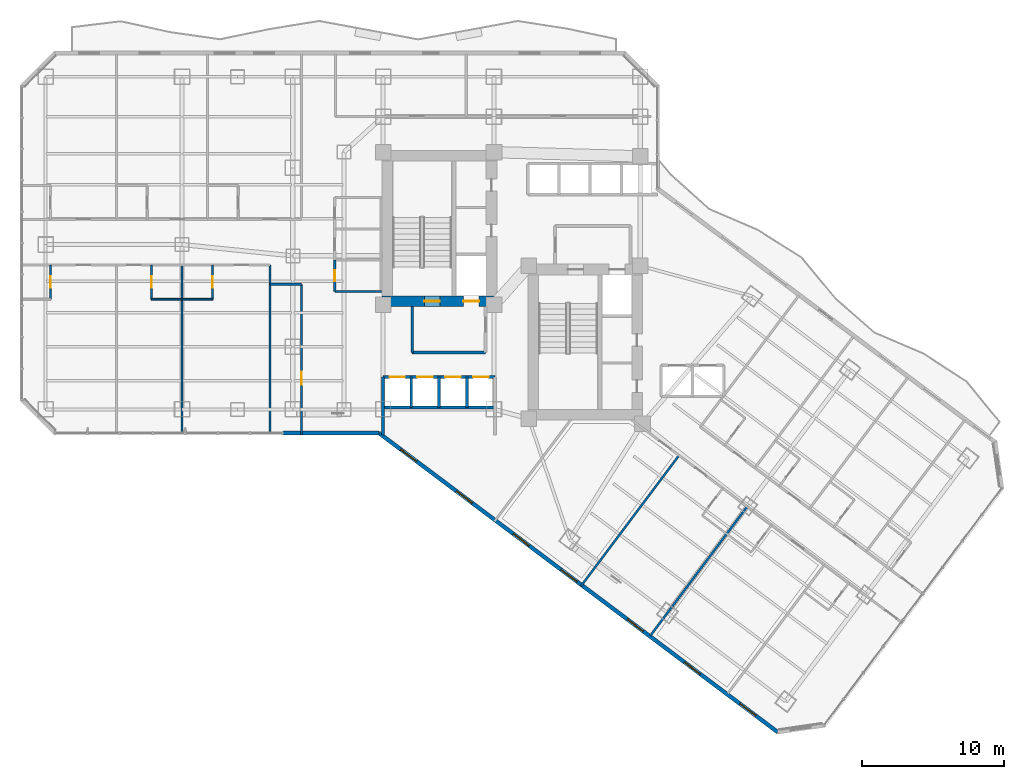
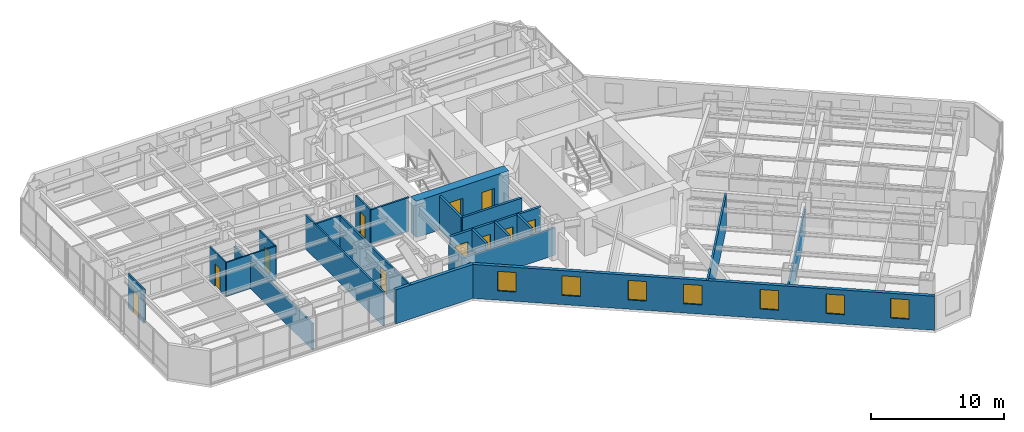
# One storey, part 22 of 32: 24 walls, 11 doors, 7 windows, 18 openings.
"""IFC4 building model written with IfcOpenShell, lengths in metres."""

from ifc_helpers import new_model, si_unit, direction, frame, frame_2d, origin, place, context, subcontext, project, spatial, rectangle, extrude, material, layer, layer_set, type_object, element, fill, save


model = new_model("IFC4")

# Units and contexts
model_context = context("Model", 3, precision=1e-05, world=origin(), true_north=direction((0.0, 1.0)))
body_context = subcontext(model_context, "Body", "Model", "MODEL_VIEW")
ifc_project = project(units=[si_unit("LENGTHUNIT", "METRE"), si_unit("AREAUNIT", "SQUARE_METRE"), si_unit("VOLUMEUNIT", "CUBIC_METRE"), si_unit("PLANEANGLEUNIT", "RADIAN"), si_unit("MASSUNIT", "GRAM", prefix="KILO")], contexts=[model_context])

# Site, building, storey
site_placement = place(None, origin())
site = spatial("IfcSite", under=ifc_project, at=site_placement, CompositionType="ELEMENT")
building_placement = place(site_placement, origin())
building = spatial("IfcBuilding", under=site, at=building_placement, Name="Hatsunagi Terrace Concourse", CompositionType="ELEMENT")
storey_placement = place(building_placement, frame((0.0, 0.0, 36.60009765625)))
storey = spatial("IfcBuildingStorey", under=building, at=storey_placement, Name="L08", CompositionType="ELEMENT", Elevation=36.60009765625)

# Wall, openings, doors
ifc_material_1 = material(Name="Concrete Fc60", Category="concrete")
ifc_layer_1 = layer(ifc_material_1, 0.75)
ifc_layer_set_1 = layer_set([ifc_layer_1], Name="CoreShearWall_Fc60_750")
wall_type_1 = type_object("IfcWallType", Name="CoreShearWall_Fc60_750", PredefinedType="SHEAR", material=ifc_layer_set_1)
wall_1_placement = place(storey_placement, frame((25.469970703125, 32.81494140625, 0.0), z_axis=(0.0, 0.0, 1.0), x_axis=(1.0, 0.0, 0.0)))
wall_1 = element("IfcWall", 1, at=wall_1_placement, inside=storey, type_object=wall_type_1, Name="Core A Shear Wall S L08", PredefinedType="SHEAR", context=body_context, shape_type="SweptSolid", body=[
    extrude(rectangle(XDim=8.080078125, YDim=0.75, at=frame_2d((4.0400390625, 0.0))), origin(), (0.0, 0.0, 1.0), 3.349853515625),
])
opening_1_placement = place(wall_1_placement, frame((2.97998046875, 0.0, 0.0)))
opening_1 = element("IfcOpeningElement", 2, at=opening_1_placement, cuts=wall_1, Name="Opening DR-110S", PredefinedType="OPENING", context=body_context, shape_type="SweptSolid", body=[
    extrude(rectangle(XDim=1.10009765625, YDim=2.199951171875, at=frame_2d((0.550048828125, 1.10009765625))), frame((0.0, 0.385009765625, 0.0), z_axis=(0.0, -1.0, 0.0), x_axis=(1.0, 0.0, 0.0)), (0.0, 0.0, 1.0), 0.77001953125),
])
opening_2_placement = place(wall_1_placement, frame((5.72998046875, 0.0, 0.0)))
opening_2 = element("IfcOpeningElement", 3, at=opening_2_placement, cuts=wall_1, Name="Opening LD-01", PredefinedType="OPENING", context=body_context, shape_type="SweptSolid", body=[
    extrude(rectangle(XDim=1.10009765625, YDim=2.14990234375, at=frame_2d((0.550048828125, 1.074951171875))), frame((0.0, 0.385009765625, 0.0), z_axis=(0.0, -1.0, 0.0), x_axis=(1.0, 0.0, 0.0)), (0.0, 0.0, 1.0), 0.77001953125),
])
ifc_material_2 = material(Name="Stainless steel", Category="steel")
door_type_1 = type_object("IfcDoorType", Name="LiftLandingDoor_LD01", OperationType="SLIDING_TO_LEFT", PredefinedType="USERDEFINED", material=ifc_material_2)
door_1_placement = place(opening_2_placement, origin())
door_1 = element("IfcDoor", 4, at=door_1_placement, inside=storey, type_object=door_type_1, Name="Lift landing door FF-01 L08", ObjectType="SLIDING_LANDING_DOOR", OperationType="SLIDING_TO_LEFT", OverallHeight=2.14990234375, OverallWidth=1.10009765625, PredefinedType="USERDEFINED", context=body_context, shape_type="SweptSolid", body=[
    extrude(rectangle(XDim=1.10009765625, YDim=2.14990234375, at=frame_2d((0.550048828125, 1.074951171875))), frame((0.0, 0.02490234375, 0.0), z_axis=(0.0, -1.0, 0.0), x_axis=(1.0, 0.0, 0.0)), (0.0, 0.0, 1.0), 0.050048828125),
])
fill(opening_2, door_1)
ifc_material_3 = material(Name="Painted steel", Category="steel")
door_type_2 = type_object("IfcDoorType", Name="StairFireDoor_EI60_1100", OperationType="NOTDEFINED", PredefinedType="DOOR", material=ifc_material_3)
door_2_placement = place(opening_1_placement, origin())
door_2 = element("IfcDoor", 5, at=door_2_placement, inside=storey, type_object=door_type_2, Name="Stair ST-A Exit Door L08", OperationType="SINGLE_SWING_LEFT", OverallHeight=2.199951171875, OverallWidth=1.10009765625, PredefinedType="DOOR", context=body_context, shape_type="SweptSolid", body=[
    extrude(rectangle(XDim=1.10009765625, YDim=2.199951171875, at=frame_2d((0.550048828125, 1.10009765625))), frame((0.0, 0.02490234375, 0.0), z_axis=(0.0, -1.0, 0.0), x_axis=(1.0, 0.0, 0.0)), (0.0, 0.0, 1.0), 0.050048828125),
])
fill(opening_1, door_2)

# Wall, opening, door
ifc_material_4 = material(Name="Acoustic mineral board", Category="gypsum")
ifc_layer_2 = layer(ifc_material_4, 0.1201171875)
ifc_layer_set_2 = layer_set([ifc_layer_2], Name="PartitionWall_EI30_120")
wall_type_2 = type_object("IfcWallType", Name="PartitionWall_EI30_120", PredefinedType="PARTITIONING", material=ifc_layer_set_2)
wall_2_placement = place(storey_placement, frame((2.14990234375, 32.949951171875, 0.0), z_axis=(0.0, 0.0, 1.0), x_axis=(0.0, 1.0, 0.0)))
wall_2 = element("IfcWall", 6, at=wall_2_placement, inside=storey, type_object=wall_type_2, Name="Interior Partition IW-L08-061", PredefinedType="PARTITIONING", context=body_context, shape_type="SweptSolid", body=[
    extrude(rectangle(XDim=2.400146484375, YDim=0.1201171875, at=frame_2d((1.2001953125, 0.0))), origin(), (0.0, 0.0, 1.0), 3.1298828125),
])
opening_3_placement = place(wall_2_placement, frame((0.800048828125, 0.0, 0.0)))
opening_3 = element("IfcOpeningElement", 7, at=opening_3_placement, cuts=wall_2, Name="Opening DR-080", PredefinedType="OPENING", context=body_context, shape_type="SweptSolid", body=[
    extrude(rectangle(XDim=0.800048828125, YDim=2.06005859375, at=frame_2d((0.39990234375, 1.030029296875))), frame((0.0, 0.070068359375, 0.0), z_axis=(0.0, -1.0, 0.0), x_axis=(1.0, 0.0, 0.0)), (0.0, 0.0, 1.0), 0.14013671875),
])
ifc_material_5 = material(Name="Hardwood timber", Category="wood")
door_type_3 = type_object("IfcDoorType", Name="BathroomDoor_800", OperationType="NOTDEFINED", PredefinedType="DOOR", material=ifc_material_5)
door_3_placement = place(opening_3_placement, origin())
door_3 = element("IfcDoor", 8, at=door_3_placement, inside=storey, type_object=door_type_3, Name="En-Suite Bathroom L08-S1 Door", OperationType="SINGLE_SWING_RIGHT", OverallHeight=2.06005859375, OverallWidth=0.800048828125, PredefinedType="DOOR", context=body_context, shape_type="SweptSolid", body=[
    extrude(rectangle(XDim=0.800048828125, YDim=2.06005859375, at=frame_2d((0.39990234375, 1.030029296875))), frame((0.0, 0.02490234375, 0.0), z_axis=(0.0, -1.0, 0.0), x_axis=(1.0, 0.0, 0.0)), (0.0, 0.0, 1.0), 0.050048828125),
])
fill(opening_3, door_3)

wall_3_placement = place(storey_placement, frame((9.25, 32.949951171875, 0.0), z_axis=(0.0, 0.0, 1.0), x_axis=(0.0, 1.0, 0.0)))
wall_3 = element("IfcWall", 9, at=wall_3_placement, inside=storey, type_object=wall_type_2, Name="Interior Partition IW-L08-066", PredefinedType="PARTITIONING", context=body_context, shape_type="SweptSolid", body=[
    extrude(rectangle(XDim=2.400146484375, YDim=0.1201171875, at=frame_2d((1.2001953125, 0.0))), origin(), (0.0, 0.0, 1.0), 3.1298828125),
])
opening_4_placement = place(wall_3_placement, frame((0.800048828125, 0.0, 0.0)))
opening_4 = element("IfcOpeningElement", 10, at=opening_4_placement, cuts=wall_3, Name="Opening DR-080", PredefinedType="OPENING", context=body_context, shape_type="SweptSolid", body=[
    extrude(rectangle(XDim=0.800048828125, YDim=2.06005859375, at=frame_2d((0.39990234375, 1.030029296875))), frame((0.0, 0.070068359375, 0.0), z_axis=(0.0, -1.0, 0.0), x_axis=(1.0, 0.0, 0.0)), (0.0, 0.0, 1.0), 0.14013671875),
])
door_4_placement = place(opening_4_placement, origin())
door_4 = element("IfcDoor", 11, at=door_4_placement, inside=storey, type_object=door_type_3, Name="En-Suite Bathroom L08-S2 Door", OperationType="SINGLE_SWING_LEFT", OverallHeight=2.06005859375, OverallWidth=0.800048828125, PredefinedType="DOOR", context=body_context, shape_type="SweptSolid", body=[
    extrude(rectangle(XDim=0.800048828125, YDim=2.06005859375, at=frame_2d((0.39990234375, 1.030029296875))), frame((0.0, 0.02490234375, 0.0), z_axis=(0.0, -1.0, 0.0), x_axis=(1.0, 0.0, 0.0)), (0.0, 0.0, 1.0), 0.050048828125),
])
fill(opening_4, door_4)

# Wall
wall_4_placement = place(storey_placement, frame((9.25, 32.949951171875, 0.0), z_axis=(0.0, 0.0, 1.0), x_axis=(1.0, 0.0, 0.0)))
element("IfcWall", 12, at=wall_4_placement, inside=storey, type_object=wall_type_2, Name="Interior Partition IW-L08-067", PredefinedType="PARTITIONING", context=body_context, shape_type="SweptSolid", body=[
    extrude(rectangle(XDim=2.14990234375, YDim=0.1201171875, at=frame_2d((1.074951171875, 0.0))), origin(), (0.0, 0.0, 1.0), 3.1298828125),
])

# Wall, opening, door
wall_5_placement = place(storey_placement, frame((13.550048828125, 32.949951171875, 0.0), z_axis=(0.0, 0.0, 1.0), x_axis=(0.0, 1.0, 0.0)))
wall_5 = element("IfcWall", 13, at=wall_5_placement, inside=storey, type_object=wall_type_2, Name="Interior Partition IW-L08-071", PredefinedType="PARTITIONING", context=body_context, shape_type="SweptSolid", body=[
    extrude(rectangle(XDim=2.400146484375, YDim=0.1201171875, at=frame_2d((1.2001953125, 0.0))), origin(), (0.0, 0.0, 1.0), 3.1298828125),
])
opening_5_placement = place(wall_5_placement, frame((0.800048828125, 0.0, 0.0)))
opening_5 = element("IfcOpeningElement", 14, at=opening_5_placement, cuts=wall_5, Name="Opening DR-080", PredefinedType="OPENING", context=body_context, shape_type="SweptSolid", body=[
    extrude(rectangle(XDim=0.800048828125, YDim=2.06005859375, at=frame_2d((0.39990234375, 1.030029296875))), frame((0.0, 0.070068359375, 0.0), z_axis=(0.0, -1.0, 0.0), x_axis=(1.0, 0.0, 0.0)), (0.0, 0.0, 1.0), 0.14013671875),
])
door_5_placement = place(opening_5_placement, origin())
door_5 = element("IfcDoor", 15, at=door_5_placement, inside=storey, type_object=door_type_3, Name="En-Suite Bathroom L08-S3 Door", OperationType="SINGLE_SWING_RIGHT", OverallHeight=2.06005859375, OverallWidth=0.800048828125, PredefinedType="DOOR", context=body_context, shape_type="SweptSolid", body=[
    extrude(rectangle(XDim=0.800048828125, YDim=2.06005859375, at=frame_2d((0.39990234375, 1.030029296875))), frame((0.0, 0.02490234375, 0.0), z_axis=(0.0, -1.0, 0.0), x_axis=(1.0, 0.0, 0.0)), (0.0, 0.0, 1.0), 0.050048828125),
])
fill(opening_5, door_5)

# Walls
wall_6_placement = place(storey_placement, frame((11.39990234375, 32.949951171875, 0.0), z_axis=(0.0, 0.0, 1.0), x_axis=(1.0, 0.0, 0.0)))
element("IfcWall", 16, at=wall_6_placement, inside=storey, type_object=wall_type_2, Name="Interior Partition IW-L08-072", PredefinedType="PARTITIONING", context=body_context, shape_type="SweptSolid", body=[
    extrude(rectangle(XDim=2.150146484375, YDim=0.1201171875, at=frame_2d((1.0751953125, 0.0))), origin(), (0.0, 0.0, 1.0), 3.1298828125),
])
ifc_material_6 = material(Name="Acoustic mineral board", Category="gypsum")
ifc_layer_3 = layer(ifc_material_6, 0.14990234375)
ifc_layer_set_3 = layer_set([ifc_layer_3], Name="PartitionWall_EI60_150")
wall_type_3 = type_object("IfcWallType", Name="PartitionWall_EI60_150", PredefinedType="PARTITIONING", material=ifc_layer_set_3)
wall_7_placement = place(storey_placement, frame((22.14990234375, 33.5, 0.0), z_axis=(0.0, 0.0, 1.0), x_axis=(1.0, 0.0, 0.0)))
element("IfcWall", 17, at=wall_7_placement, inside=storey, type_object=wall_type_3, Name="Interior Partition IW-L08-029", PredefinedType="PARTITIONING", context=body_context, shape_type="SweptSolid", body=[
    extrude(rectangle(XDim=3.300048828125, YDim=0.14990234375, at=frame_2d((1.64990234375, 0.0))), origin(), (0.0, 0.0, 1.0), 3.1298828125),
])

# Wall, opening, door
wall_8_placement = place(storey_placement, frame((22.14990234375, 33.5, 0.0), z_axis=(0.0, 0.0, 1.0), x_axis=(0.0, 1.0, 0.0)))
wall_8 = element("IfcWall", 18, at=wall_8_placement, inside=storey, type_object=wall_type_3, Name="Interior Partition IW-L08-034", PredefinedType="PARTITIONING", context=body_context, shape_type="SweptSolid", body=[
    extrude(rectangle(XDim=2.199951171875, YDim=0.14990234375, at=frame_2d((1.10009765625, 0.0))), origin(), (0.0, 0.0, 1.0), 3.1298828125),
])
opening_6_placement = place(wall_8_placement, frame((0.699951171875, 0.0, 0.0)))
opening_6 = element("IfcOpeningElement", 19, at=opening_6_placement, cuts=wall_8, Name="Opening DR-080", PredefinedType="OPENING", context=body_context, shape_type="SweptSolid", body=[
    extrude(rectangle(XDim=0.800048828125, YDim=2.06005859375, at=frame_2d((0.39990234375, 1.030029296875))), frame((0.0, 0.0849609375, 0.0), z_axis=(0.0, -1.0, 0.0), x_axis=(1.0, 0.0, 0.0)), (0.0, 0.0, 1.0), 0.169921875),
])
door_6_placement = place(opening_6_placement, origin())
door_6 = element("IfcDoor", 20, at=door_6_placement, inside=storey, type_object=door_type_3, Name="Accessible WC Door L08", OperationType="SINGLE_SWING_RIGHT", OverallHeight=2.06005859375, OverallWidth=0.800048828125, PredefinedType="DOOR", context=body_context, shape_type="SweptSolid", body=[
    extrude(rectangle(XDim=0.800048828125, YDim=2.06005859375, at=frame_2d((0.39990234375, 1.030029296875))), frame((0.0, 0.02490234375, 0.0), z_axis=(0.0, -1.0, 0.0), x_axis=(1.0, 0.0, 0.0)), (0.0, 0.0, 1.0), 0.050048828125),
])
fill(opening_6, door_6)

# Walls
wall_9_placement = place(storey_placement, frame((39.464111328125, 12.751953125, 0.0), z_axis=(0.0, 0.0, 1.0), x_axis=(0.6, 0.8, 0.0)))
element("IfcWall", 21, at=wall_9_placement, inside=storey, type_object=wall_type_3, Name="Interior Partition IW-L08-043", PredefinedType="PARTITIONING", context=body_context, shape_type="SweptSolid", body=[
    extrude(rectangle(XDim=11.510009765625, YDim=0.14990234375, at=frame_2d((5.7548828125, 0.0))), origin(), (0.0, 0.0, 1.0), 3.1298828125),
])
wall_10_placement = place(storey_placement, frame((11.39990234375, 23.60009765625, 0.0), z_axis=(0.0, 0.0, 1.0), x_axis=(0.0, 1.0, 0.0)))
element("IfcWall", 22, at=wall_10_placement, inside=storey, type_object=wall_type_3, Name="Interior Partition IW-L08-068", PredefinedType="PARTITIONING", context=body_context, shape_type="SweptSolid", body=[
    extrude(rectangle(XDim=11.75, YDim=0.14990234375, at=frame_2d((5.875, 0.0))), origin(), (0.0, 0.0, 1.0), 2.4248046875),
])
wall_11_placement = place(storey_placement, frame((17.60009765625, 23.60009765625, 0.0), z_axis=(0.0, 0.0, 1.0), x_axis=(0.0, 1.0, 0.0)))
element("IfcWall", 23, at=wall_11_placement, inside=storey, type_object=wall_type_3, Name="Interior Partition IW-L08-073", PredefinedType="PARTITIONING", context=body_context, shape_type="SweptSolid", body=[
    extrude(rectangle(XDim=11.75, YDim=0.14990234375, at=frame_2d((5.875, 0.0))), origin(), (0.0, 0.0, 1.0), 3.1298828125),
])
wall_12_placement = place(storey_placement, frame((17.60009765625, 34.0, 0.0), z_axis=(0.0, 0.0, 1.0), x_axis=(1.0, 0.0, 0.0)))
element("IfcWall", 24, at=wall_12_placement, inside=storey, type_object=wall_type_3, Name="Interior Partition IW-L08-074", PredefinedType="PARTITIONING", context=body_context, shape_type="SweptSolid", body=[
    extrude(rectangle(XDim=2.199951171875, YDim=0.14990234375, at=frame_2d((1.10009765625, 0.0))), origin(), (0.0, 0.0, 1.0), 3.1298828125),
])

# Wall, opening, door
wall_13_placement = place(storey_placement, frame((19.800048828125, 23.43994140625, 0.0), z_axis=(0.0, 0.0, 1.0), x_axis=(0.0, 1.0, 0.0)))
wall_13 = element("IfcWall", 25, at=wall_13_placement, inside=storey, type_object=wall_type_3, Name="Interior Partition IW-L08-075", PredefinedType="PARTITIONING", context=body_context, shape_type="SweptSolid", body=[
    extrude(rectangle(XDim=10.56005859375, YDim=0.14990234375, at=frame_2d((5.280029296875, 0.0))), origin(), (0.0, 0.0, 1.0), 3.1298828125),
])
opening_7_placement = place(wall_13_placement, frame((3.4951171875, 0.0, 0.0)))
opening_7 = element("IfcOpeningElement", 26, at=opening_7_placement, cuts=wall_13, Name="Opening DR-090", PredefinedType="OPENING", context=body_context, shape_type="SweptSolid", body=[
    extrude(rectangle(XDim=0.89990234375, YDim=2.14990234375, at=frame_2d((0.449951171875, 1.074951171875))), frame((0.0, 0.0849609375, 0.0), z_axis=(0.0, -1.0, 0.0), x_axis=(1.0, 0.0, 0.0)), (0.0, 0.0, 1.0), 0.169921875),
])
ifc_material_7 = material(Name="Hardwood timber", Category="wood")
door_type_4 = type_object("IfcDoorType", Name="CrownPavilionDoor_EI30_900", OperationType="NOTDEFINED", PredefinedType="DOOR", material=ifc_material_7)
door_7_placement = place(opening_7_placement, origin())
door_7 = element("IfcDoor", 27, at=door_7_placement, inside=storey, type_object=door_type_4, Name="Catering Pantry L08-HPAN Door", OperationType="SINGLE_SWING_RIGHT", OverallHeight=2.14990234375, OverallWidth=0.89990234375, PredefinedType="DOOR", context=body_context, shape_type="SweptSolid", body=[
    extrude(rectangle(XDim=0.89990234375, YDim=2.14990234375, at=frame_2d((0.449951171875, 1.074951171875))), frame((0.0, 0.02490234375, 0.0), z_axis=(0.0, -1.0, 0.0), x_axis=(1.0, 0.0, 0.0)), (0.0, 0.0, 1.0), 0.050048828125),
])
fill(opening_7, door_7)

# Walls
wall_14_placement = place(storey_placement, frame((44.360107421875, 9.280029296875, 0.0), z_axis=(0.0, 0.0, 1.0), x_axis=(0.599986233332, 0.800010324816, 0.0)))
element("IfcWall", 28, at=wall_14_placement, inside=storey, type_object=wall_type_3, Name="Interior Partition IW-L08-100", PredefinedType="PARTITIONING", context=body_context, shape_type="SweptSolid", body=[
    extrude(rectangle(XDim=11.349853515625, YDim=0.14990234375, at=frame_2d((5.6748046875, 0.0))), origin(), (0.0, 0.0, 1.0), 2.4248046875),
])
ifc_material_8 = material(Name="Acoustic mineral board", Category="gypsum")
ifc_layer_4 = layer(ifc_material_8, 0.199951171875)
ifc_layer_set_4 = layer_set([ifc_layer_4], Name="ShaftWall_EI120_200")
wall_type_4 = type_object("IfcWallType", Name="ShaftWall_EI120_200", PredefinedType="STANDARD", material=ifc_layer_set_4)
wall_15_placement = place(storey_placement, frame((27.60009765625, 29.199951171875, 0.0), z_axis=(0.0, 0.0, 1.0), x_axis=(1.0, 0.0, 0.0)))
element("IfcWall", 29, at=wall_15_placement, inside=storey, type_object=wall_type_4, Name="Interior Partition IW-L08-005", PredefinedType="STANDARD", context=body_context, shape_type="SweptSolid", body=[
    extrude(rectangle(XDim=5.14990234375, YDim=0.199951171875, at=frame_2d((2.574951171875, 0.0))), origin(), (0.0, 0.0, 1.0), 3.1298828125),
])
wall_16_placement = place(storey_placement, frame((27.60009765625, 29.199951171875, 0.0), z_axis=(0.0, 0.0, 1.0), x_axis=(0.0, 1.0, 0.0)))
element("IfcWall", 30, at=wall_16_placement, inside=storey, type_object=wall_type_4, Name="Interior Partition IW-L08-006", PredefinedType="STANDARD", context=body_context, shape_type="SweptSolid", body=[
    extrude(rectangle(XDim=3.239990234375, YDim=0.199951171875, at=frame_2d((1.6201171875, 0.0))), origin(), (0.0, 0.0, 1.0), 3.1298828125),
])
wall_17_placement = place(storey_placement, frame((25.550048828125, 23.39990234375, 0.0), z_axis=(0.0, 0.0, 1.0), x_axis=(0.0, 1.0, 0.0)))
element("IfcWall", 31, at=wall_17_placement, inside=storey, type_object=wall_type_4, Name="Interior Partition IW-L08-011", PredefinedType="STANDARD", context=body_context, shape_type="SweptSolid", body=[
    extrude(rectangle(XDim=4.080078125, YDim=0.199951171875, at=frame_2d((2.0400390625, 0.0))), origin(), (0.0, 0.0, 1.0), 2.4248046875),
])
wall_18_placement = place(storey_placement, frame((25.550048828125, 25.320068359375, 0.0), z_axis=(0.0, 0.0, 1.0), x_axis=(1.0, 0.0, 0.0)))
element("IfcWall", 32, at=wall_18_placement, inside=storey, type_object=wall_type_4, Name="Interior Partition IW-L08-013", PredefinedType="STANDARD", context=body_context, shape_type="SweptSolid", body=[
    extrude(rectangle(XDim=7.8798828125, YDim=0.199951171875, at=frame_2d((3.93994140625, 0.0))), origin(), (0.0, 0.0, 1.0), 2.52490234375),
])
for number, where, z_axis, x_axis, name in (
    (33, (27.530029296875, 25.320068359375, 0.0), (0.0, 0.0, 1.0), (0.0, 1.0, 0.0), "Interior Partition IW-L08-014"),
    (34, (29.489990234375, 25.320068359375, 0.0), (0.0, 0.0, 1.0), (0.0, 1.0, 0.0), "Interior Partition IW-L08-015"),
    (35, (31.449951171875, 25.320068359375, 0.0), (0.0, 0.0, 1.0), (0.0, 1.0, 0.0), "Interior Partition IW-L08-016"),
):
    element("IfcWall", number, at=place(storey_placement, frame(where, z_axis=z_axis, x_axis=x_axis)), inside=storey, type_object=wall_type_4, Name=name, PredefinedType="STANDARD", context=body_context, shape_type="SweptSolid", body=[
        extrude(rectangle(XDim=2.159912109375, YDim=0.199951171875, at=frame_2d((1.080078125, 0.0))), origin(), (0.0, 0.0, 1.0), 3.1298828125),
    ])

# Wall, openings, doors
wall_19_placement = place(storey_placement, frame((25.550048828125, 27.47998046875, 0.0), z_axis=(0.0, 0.0, 1.0), x_axis=(1.0, 0.0, 0.0)))
wall_19 = element("IfcWall", 36, at=wall_19_placement, inside=storey, type_object=wall_type_4, Name="Interior Partition IW-L08-017", PredefinedType="STANDARD", context=body_context, shape_type="SweptSolid", body=[
    extrude(rectangle(XDim=7.8798828125, YDim=0.199951171875, at=frame_2d((3.93994140625, 0.0))), origin(), (0.0, 0.0, 1.0), 3.1298828125),
])
opening_8_placement = place(wall_19_placement, frame((0.4599609375, 0.0, 0.0)))
opening_8 = element("IfcOpeningElement", 37, at=opening_8_placement, cuts=wall_19, Name="Opening LD-03", PredefinedType="OPENING", context=body_context, shape_type="SweptSolid", body=[
    extrude(rectangle(XDim=1.080078125, YDim=2.14990234375, at=frame_2d((0.5400390625, 1.074951171875))), frame((0.0, 0.10986328125, 0.0), z_axis=(0.0, -1.0, 0.0), x_axis=(1.0, 0.0, 0.0)), (0.0, 0.0, 1.0), 0.219970703125),
])
opening_9_placement = place(wall_19_placement, frame((2.419921875, 0.0, 0.0)))
opening_9 = element("IfcOpeningElement", 38, at=opening_9_placement, cuts=wall_19, Name="Opening LD-03", PredefinedType="OPENING", context=body_context, shape_type="SweptSolid", body=[
    extrude(rectangle(XDim=1.080078125, YDim=2.14990234375, at=frame_2d((0.5400390625, 1.074951171875))), frame((0.0, 0.10986328125, 0.0), z_axis=(0.0, -1.0, 0.0), x_axis=(1.0, 0.0, 0.0)), (0.0, 0.0, 1.0), 0.219970703125),
])
opening_10_placement = place(wall_19_placement, frame((4.3798828125, 0.0, 0.0)))
opening_10 = element("IfcOpeningElement", 39, at=opening_10_placement, cuts=wall_19, Name="Opening LD-03", PredefinedType="OPENING", context=body_context, shape_type="SweptSolid", body=[
    extrude(rectangle(XDim=1.080078125, YDim=2.14990234375, at=frame_2d((0.5400390625, 1.074951171875))), frame((0.0, 0.10986328125, 0.0), z_axis=(0.0, -1.0, 0.0), x_axis=(1.0, 0.0, 0.0)), (0.0, 0.0, 1.0), 0.219970703125),
])
opening_11_placement = place(wall_19_placement, frame((6.340087890625, 0.0, 0.0)))
opening_11 = element("IfcOpeningElement", 40, at=opening_11_placement, cuts=wall_19, Name="Opening LD-03", PredefinedType="OPENING", context=body_context, shape_type="SweptSolid", body=[
    extrude(rectangle(XDim=1.080078125, YDim=2.14990234375, at=frame_2d((0.5400390625, 1.074951171875))), frame((0.0, 0.10986328125, 0.0), z_axis=(0.0, -1.0, 0.0), x_axis=(1.0, 0.0, 0.0)), (0.0, 0.0, 1.0), 0.219970703125),
])
ifc_material_9 = material(Name="Stainless steel", Category="steel")
door_type_5 = type_object("IfcDoorType", Name="LiftLandingDoor_LD03", OperationType="SLIDING_TO_LEFT", PredefinedType="USERDEFINED", material=ifc_material_9)
door_8_placement = place(opening_8_placement, origin())
door_8 = element("IfcDoor", 41, at=door_8_placement, inside=storey, type_object=door_type_5, Name="Lift landing door PL-01 L08", ObjectType="SLIDING_LANDING_DOOR", OperationType="SLIDING_TO_LEFT", OverallHeight=2.14990234375, OverallWidth=1.080078125, PredefinedType="USERDEFINED", context=body_context, shape_type="SweptSolid", body=[
    extrude(rectangle(XDim=1.080078125, YDim=2.14990234375, at=frame_2d((0.5400390625, 1.074951171875))), frame((0.0, 0.02490234375, 0.0), z_axis=(0.0, -1.0, 0.0), x_axis=(1.0, 0.0, 0.0)), (0.0, 0.0, 1.0), 0.050048828125),
])
fill(opening_8, door_8)
door_9_placement = place(opening_9_placement, origin())
door_9 = element("IfcDoor", 42, at=door_9_placement, inside=storey, type_object=door_type_5, Name="Lift landing door PL-02 L08", ObjectType="SLIDING_LANDING_DOOR", OperationType="SLIDING_TO_LEFT", OverallHeight=2.14990234375, OverallWidth=1.080078125, PredefinedType="USERDEFINED", context=body_context, shape_type="SweptSolid", body=[
    extrude(rectangle(XDim=1.080078125, YDim=2.14990234375, at=frame_2d((0.5400390625, 1.074951171875))), frame((0.0, 0.02490234375, 0.0), z_axis=(0.0, -1.0, 0.0), x_axis=(1.0, 0.0, 0.0)), (0.0, 0.0, 1.0), 0.050048828125),
])
fill(opening_9, door_9)
door_10_placement = place(opening_10_placement, origin())
door_10 = element("IfcDoor", 43, at=door_10_placement, inside=storey, type_object=door_type_5, Name="Lift landing door PL-03 L08", ObjectType="SLIDING_LANDING_DOOR", OperationType="SLIDING_TO_LEFT", OverallHeight=2.14990234375, OverallWidth=1.080078125, PredefinedType="USERDEFINED", context=body_context, shape_type="SweptSolid", body=[
    extrude(rectangle(XDim=1.080078125, YDim=2.14990234375, at=frame_2d((0.5400390625, 1.074951171875))), frame((0.0, 0.02490234375, 0.0), z_axis=(0.0, -1.0, 0.0), x_axis=(1.0, 0.0, 0.0)), (0.0, 0.0, 1.0), 0.050048828125),
])
fill(opening_10, door_10)
door_11_placement = place(opening_11_placement, origin())
door_11 = element("IfcDoor", 44, at=door_11_placement, inside=storey, type_object=door_type_5, Name="Lift landing door PL-04 L08", ObjectType="SLIDING_LANDING_DOOR", OperationType="SLIDING_TO_LEFT", OverallHeight=2.14990234375, OverallWidth=1.080078125, PredefinedType="USERDEFINED", context=body_context, shape_type="SweptSolid", body=[
    extrude(rectangle(XDim=1.080078125, YDim=2.14990234375, at=frame_2d((0.5400390625, 1.074951171875))), frame((0.0, 0.02490234375, 0.0), z_axis=(0.0, -1.0, 0.0), x_axis=(1.0, 0.0, 0.0)), (0.0, 0.0, 1.0), 0.050048828125),
])
fill(opening_11, door_11)

# Wall, openings, windows
ifc_material_10 = material(Name="Autoclaved Lightweight Concrete and Terracotta Cladding", Category="masonry")
ifc_layer_5 = layer(ifc_material_10, 0.280029296875)
ifc_layer_set_5 = layer_set([ifc_layer_5], Name="TerracottaSpandrelWall_280")
wall_type_5 = type_object("IfcWallType", Name="TerracottaSpandrelWall_280", PredefinedType="STANDARD", material=ifc_layer_set_5)
wall_20_placement = place(storey_placement, frame((53.318115234375, 2.487060546875, 0.0), z_axis=(0.0, 0.0, 1.0), x_axis=(-0.800004174678, 0.599994433723, 0.0)))
wall_20 = element("IfcWall", 45, at=wall_20_placement, inside=storey, type_object=wall_type_5, Name="Exterior Spandrel Wall EW-L08-05", PredefinedType="STANDARD", context=body_context, shape_type="SweptSolid", body=[
    extrude(rectangle(XDim=35.088623046875, YDim=0.280029296875, at=frame_2d((17.54443359375, 0.0))), origin(), (0.0, 0.0, 1.0), 3.1298828125),
])
opening_12_placement = place(wall_20_placement, frame((1.930908203125, 0.0, 0.85009765625)))
opening_12 = element("IfcOpeningElement", 46, at=opening_12_placement, cuts=wall_20, Name="Opening WIN-02", PredefinedType="OPENING", context=body_context, shape_type="SweptSolid", body=[
    extrude(rectangle(XDim=1.39990234375, YDim=1.800048828125, at=frame_2d((0.699951171875, 0.89990234375))), frame((0.0, 0.14990234375, 0.0), z_axis=(0.0, -1.0, 0.0), x_axis=(1.0, 0.0, 0.0)), (0.0, 0.0, 1.0), 0.300048828125),
])
opening_13_placement = place(wall_20_placement, frame((6.819091796875, 0.0, 0.85009765625)))
opening_13 = element("IfcOpeningElement", 47, at=opening_13_placement, cuts=wall_20, Name="Opening WIN-02", PredefinedType="OPENING", context=body_context, shape_type="SweptSolid", body=[
    extrude(rectangle(XDim=1.39990234375, YDim=1.800048828125, at=frame_2d((0.699951171875, 0.89990234375))), frame((0.0, 0.14990234375, 0.0), z_axis=(0.0, -1.0, 0.0), x_axis=(1.0, 0.0, 0.0)), (0.0, 0.0, 1.0), 0.300048828125),
])
opening_14_placement = place(wall_20_placement, frame((11.83203125, 0.0, 0.85009765625)))
opening_14 = element("IfcOpeningElement", 48, at=opening_14_placement, cuts=wall_20, Name="Opening WIN-02", PredefinedType="OPENING", context=body_context, shape_type="SweptSolid", body=[
    extrude(rectangle(XDim=1.39990234375, YDim=1.800048828125, at=frame_2d((0.699951171875, 0.89990234375))), frame((0.0, 0.14990234375, 0.0), z_axis=(0.0, -1.0, 0.0), x_axis=(1.0, 0.0, 0.0)), (0.0, 0.0, 1.0), 0.300048828125),
])
opening_15_placement = place(wall_20_placement, frame((17.64697265625, 0.0, 0.85009765625)))
opening_15 = element("IfcOpeningElement", 49, at=opening_15_placement, cuts=wall_20, Name="Opening WIN-02", PredefinedType="OPENING", context=body_context, shape_type="SweptSolid", body=[
    extrude(rectangle(XDim=1.39990234375, YDim=1.800048828125, at=frame_2d((0.699951171875, 0.89990234375))), frame((0.0, 0.14990234375, 0.0), z_axis=(0.0, -1.0, 0.0), x_axis=(1.0, 0.0, 0.0)), (0.0, 0.0, 1.0), 0.300048828125),
])
opening_16_placement = place(wall_20_placement, frame((21.85693359375, 0.0, 0.85009765625)))
opening_16 = element("IfcOpeningElement", 50, at=opening_16_placement, cuts=wall_20, Name="Opening WIN-02", PredefinedType="OPENING", context=body_context, shape_type="SweptSolid", body=[
    extrude(rectangle(XDim=1.39990234375, YDim=1.800048828125, at=frame_2d((0.699951171875, 0.89990234375))), frame((0.0, 0.14990234375, 0.0), z_axis=(0.0, -1.0, 0.0), x_axis=(1.0, 0.0, 0.0)), (0.0, 0.0, 1.0), 0.300048828125),
])
opening_17_placement = place(wall_20_placement, frame((26.8701171875, 0.0, 0.85009765625)))
opening_17 = element("IfcOpeningElement", 51, at=opening_17_placement, cuts=wall_20, Name="Opening WIN-02", PredefinedType="OPENING", context=body_context, shape_type="SweptSolid", body=[
    extrude(rectangle(XDim=1.39990234375, YDim=1.800048828125, at=frame_2d((0.699951171875, 0.89990234375))), frame((0.0, 0.14990234375, 0.0), z_axis=(0.0, -1.0, 0.0), x_axis=(1.0, 0.0, 0.0)), (0.0, 0.0, 1.0), 0.300048828125),
])
opening_18_placement = place(wall_20_placement, frame((31.757080078125, 0.0, 0.85009765625)))
opening_18 = element("IfcOpeningElement", 52, at=opening_18_placement, cuts=wall_20, Name="Opening WIN-02", PredefinedType="OPENING", context=body_context, shape_type="SweptSolid", body=[
    extrude(rectangle(XDim=1.39990234375, YDim=1.800048828125, at=frame_2d((0.699951171875, 0.89990234375))), frame((0.0, 0.14990234375, 0.0), z_axis=(0.0, -1.0, 0.0), x_axis=(1.0, 0.0, 0.0)), (0.0, 0.0, 1.0), 0.300048828125),
])
ifc_material_11 = material(Name="Thermally Broken Aluminium and Low-E Triple Glazing", Category="aluminium")
window_type = type_object("IfcWindowType", Name="HotelOperableVentWindow_1400x1800", PartitioningType="DOUBLE_PANEL_VERTICAL", PredefinedType="WINDOW", material=ifc_material_11)
window_1_placement = place(opening_12_placement, origin())
window_1 = element("IfcWindow", 53, at=window_1_placement, inside=storey, type_object=window_type, Name="Hotel Perimeter Window L08-05-1", OverallHeight=1.800048828125, OverallWidth=1.39990234375, PartitioningType="SINGLE_PANEL", PredefinedType="WINDOW", context=body_context, shape_type="SweptSolid", body=[
    extrude(rectangle(XDim=1.39990234375, YDim=1.800048828125, at=frame_2d((0.699951171875, 0.89990234375))), frame((0.0, 0.030029296875, 0.0), z_axis=(0.0, -1.0, 0.0), x_axis=(1.0, 0.0, 0.0)), (0.0, 0.0, 1.0), 0.06005859375),
])
fill(opening_12, window_1)
window_2_placement = place(opening_13_placement, origin())
window_2 = element("IfcWindow", 54, at=window_2_placement, inside=storey, type_object=window_type, Name="Hotel Perimeter Window L08-05-2", OverallHeight=1.800048828125, OverallWidth=1.39990234375, PartitioningType="SINGLE_PANEL", PredefinedType="WINDOW", context=body_context, shape_type="SweptSolid", body=[
    extrude(rectangle(XDim=1.39990234375, YDim=1.800048828125, at=frame_2d((0.699951171875, 0.89990234375))), frame((0.0, 0.030029296875, 0.0), z_axis=(0.0, -1.0, 0.0), x_axis=(1.0, 0.0, 0.0)), (0.0, 0.0, 1.0), 0.06005859375),
])
fill(opening_13, window_2)
window_3_placement = place(opening_14_placement, origin())
window_3 = element("IfcWindow", 55, at=window_3_placement, inside=storey, type_object=window_type, Name="Hotel Perimeter Window L08-05-3", OverallHeight=1.800048828125, OverallWidth=1.39990234375, PartitioningType="SINGLE_PANEL", PredefinedType="WINDOW", context=body_context, shape_type="SweptSolid", body=[
    extrude(rectangle(XDim=1.39990234375, YDim=1.800048828125, at=frame_2d((0.699951171875, 0.89990234375))), frame((0.0, 0.030029296875, 0.0), z_axis=(0.0, -1.0, 0.0), x_axis=(1.0, 0.0, 0.0)), (0.0, 0.0, 1.0), 0.06005859375),
])
fill(opening_14, window_3)
window_4_placement = place(opening_15_placement, origin())
window_4 = element("IfcWindow", 56, at=window_4_placement, inside=storey, type_object=window_type, Name="Hotel Perimeter Window L08-05-4", OverallHeight=1.800048828125, OverallWidth=1.39990234375, PartitioningType="SINGLE_PANEL", PredefinedType="WINDOW", context=body_context, shape_type="SweptSolid", body=[
    extrude(rectangle(XDim=1.39990234375, YDim=1.800048828125, at=frame_2d((0.699951171875, 0.89990234375))), frame((0.0, 0.030029296875, 0.0), z_axis=(0.0, -1.0, 0.0), x_axis=(1.0, 0.0, 0.0)), (0.0, 0.0, 1.0), 0.06005859375),
])
fill(opening_15, window_4)
window_5_placement = place(opening_16_placement, origin())
window_5 = element("IfcWindow", 57, at=window_5_placement, inside=storey, type_object=window_type, Name="Hotel Perimeter Window L08-05-5", OverallHeight=1.800048828125, OverallWidth=1.39990234375, PartitioningType="SINGLE_PANEL", PredefinedType="WINDOW", context=body_context, shape_type="SweptSolid", body=[
    extrude(rectangle(XDim=1.39990234375, YDim=1.800048828125, at=frame_2d((0.699951171875, 0.89990234375))), frame((0.0, 0.030029296875, 0.0), z_axis=(0.0, -1.0, 0.0), x_axis=(1.0, 0.0, 0.0)), (0.0, 0.0, 1.0), 0.06005859375),
])
fill(opening_16, window_5)
window_6_placement = place(opening_17_placement, origin())
window_6 = element("IfcWindow", 58, at=window_6_placement, inside=storey, type_object=window_type, Name="Hotel Perimeter Window L08-05-6", OverallHeight=1.800048828125, OverallWidth=1.39990234375, PartitioningType="SINGLE_PANEL", PredefinedType="WINDOW", context=body_context, shape_type="SweptSolid", body=[
    extrude(rectangle(XDim=1.39990234375, YDim=1.800048828125, at=frame_2d((0.699951171875, 0.89990234375))), frame((0.0, 0.030029296875, 0.0), z_axis=(0.0, -1.0, 0.0), x_axis=(1.0, 0.0, 0.0)), (0.0, 0.0, 1.0), 0.06005859375),
])
fill(opening_17, window_6)
window_7_placement = place(opening_18_placement, origin())
window_7 = element("IfcWindow", 59, at=window_7_placement, inside=storey, type_object=window_type, Name="Hotel Perimeter Window L08-05-7", OverallHeight=1.800048828125, OverallWidth=1.39990234375, PartitioningType="SINGLE_PANEL", PredefinedType="WINDOW", context=body_context, shape_type="SweptSolid", body=[
    extrude(rectangle(XDim=1.39990234375, YDim=1.800048828125, at=frame_2d((0.699951171875, 0.89990234375))), frame((0.0, 0.030029296875, 0.0), z_axis=(0.0, -1.0, 0.0), x_axis=(1.0, 0.0, 0.0)), (0.0, 0.0, 1.0), 0.06005859375),
])
fill(opening_18, window_7)

# Wall
wall_21_placement = place(storey_placement, frame((25.2470703125, 23.5400390625, 0.0), z_axis=(0.0, 0.0, 1.0), x_axis=(-1.0, 0.0, 0.0)))
element("IfcWall", 60, at=wall_21_placement, inside=storey, type_object=wall_type_5, Name="Exterior Spandrel Wall EW-L08-06", PredefinedType="STANDARD", context=body_context, shape_type="SweptSolid", body=[
    extrude(rectangle(XDim=6.7470703125, YDim=0.280029296875, at=frame_2d((3.37353515625, 0.0))), origin(), (0.0, 0.0, 1.0), 3.1298828125),
])

save(model, "model.ifc")
